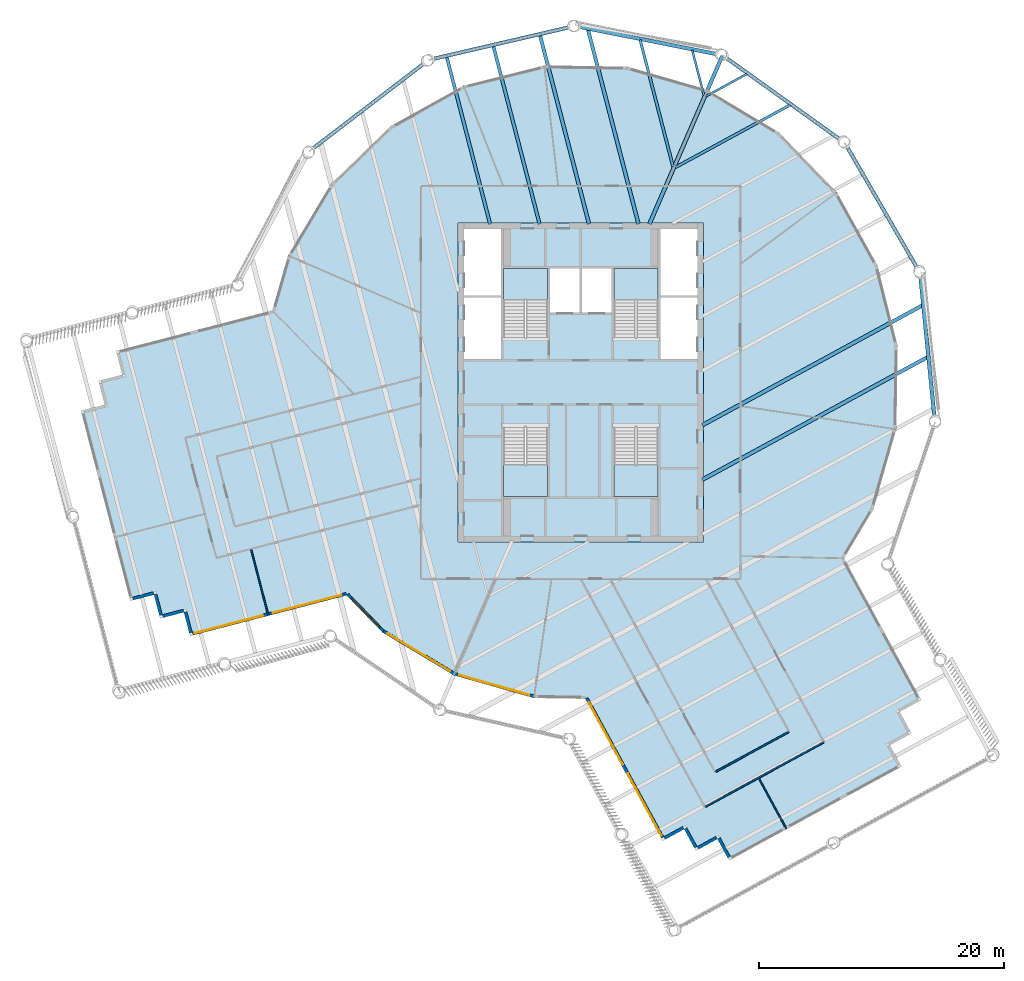
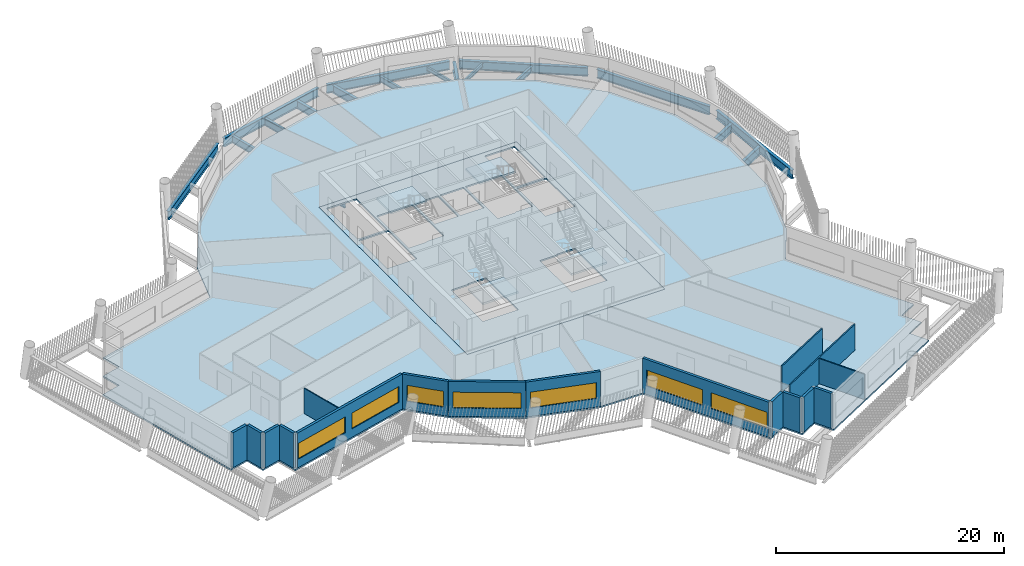
# One storey, part 2 of 14: 17 beams, 17 walls, 7 windows, 6 slabs, 7 openings, 4 elements without a shape of their own.
"""IFC4 building model written with IfcOpenShell, lengths in metres."""

from ifc_helpers import new_model, si_unit, direction, frame, frame_2d, origin, origin_2d, place, context, subcontext, project, spatial, polyline, rectangle, i_section, outline, extrude, material, layer, layer_set, material_profile, profile_set, type_object, element, fill, aggregate, save


model = new_model("IFC4")

# Units and contexts
model_context = context("Model", 3, precision=1e-05, world=origin(), true_north=direction((0.0, 1.0)))
body_context = subcontext(model_context, "Body", "Model", "MODEL_VIEW")
ifc_project = project(units=[si_unit("LENGTHUNIT", "METRE"), si_unit("AREAUNIT", "SQUARE_METRE"), si_unit("VOLUMEUNIT", "CUBIC_METRE"), si_unit("PLANEANGLEUNIT", "RADIAN"), si_unit("MASSUNIT", "GRAM", prefix="KILO")], contexts=[model_context])

# Site, building, storey
site_placement = place(None, origin())
site = spatial("IfcSite", under=ifc_project, at=site_placement, CompositionType="ELEMENT")
building_placement = place(site_placement, origin())
building = spatial("IfcBuilding", under=site, at=building_placement, Name="Tarsis Ring Headquarters", CompositionType="ELEMENT")
storey_placement = place(building_placement, frame((0.0, 0.0, 343.10009765625)))
storey = spatial("IfcBuildingStorey", under=building, at=storey_placement, Name="L81", CompositionType="ELEMENT", Elevation=343.10009765625)

# Beams
ifc_material_1 = material(Name="Structural steel S355", Category="steel")
ifc_material_profile_1 = material_profile(ifc_material_1, i_section(OverallWidth=0.177734375, OverallDepth=0.406494140625, WebThickness=0.0078125, FlangeThickness=0.0126953125, at=origin_2d()), Name="W16x40")
ifc_profile_set_1 = profile_set([ifc_material_profile_1], Name="Structural steel S355")
beam_type_1 = type_object("IfcBeamType", Name="FB Floor beam W16x40", PredefinedType="JOIST", material=ifc_profile_set_1)
for number, where, z_axis, x_axis, name in (
    (1, (10.212646484375, 23.320068359375, -0.36328125), (0.878292493566, 0.478123724308, 0.0), (-0.478123724308, 0.878292493566, 0.0), "Floor beam FB1"),
    (2, (9.084716796875, 27.077392578125, -0.36328125), (0.251371825169, -0.967890595838, 0.0), (0.967890595838, 0.251371825169, 0.0), "Floor beam FB1"),
):
    element("IfcBeam", number, at=place(storey_placement, frame(where, z_axis=z_axis, x_axis=x_axis)), inside=storey, type_object=beam_type_1, Name=name, PredefinedType="JOIST", context=body_context, shape_type="SweptSolid", body=[
        extrude(i_section(OverallWidth=0.177734375, OverallDepth=0.406494140625, WebThickness=0.0078125, FlangeThickness=0.0126953125, at=origin_2d()), origin(), (0.0, 0.0, 1.0), 3.80517578125),
    ])
ifc_material_profile_2 = material_profile(ifc_material_1, i_section(OverallWidth=0.228271484375, OverallDepth=0.607177734375, WebThickness=0.01123046875, FlangeThickness=0.017333984375, at=origin_2d()), Name="W24x76")
ifc_profile_set_2 = profile_set([ifc_material_profile_2], Name="Structural steel S355")
beam_type_2 = type_object("IfcBeamType", Name="FB Floor beam W24x76", PredefinedType="JOIST", material=ifc_profile_set_2)
for number, where, z_axis, x_axis, name in (
    (3, (7.69287109375, 17.50830078125, -0.463623046875), (0.878315260077, 0.478081900845, 0.0), (-0.478081900845, 0.878315260077, 0.0), "Floor beam FB4"),
    (4, (4.83544921875, 27.924072265625, -0.463623046875), (0.251391136568, -0.967885580249, 0.0), (0.967885580249, 0.251391136568, 0.0), "Floor beam FB4"),
):
    element("IfcBeam", number, at=place(storey_placement, frame(where, z_axis=z_axis, x_axis=x_axis)), inside=storey, type_object=beam_type_2, Name=name, PredefinedType="JOIST", context=body_context, shape_type="SweptSolid", body=[
        extrude(i_section(OverallWidth=0.228271484375, OverallDepth=0.607177734375, WebThickness=0.01123046875, FlangeThickness=0.017333984375, at=origin_2d()), origin(), (0.0, 0.0, 1.0), 10.6845703125),
    ])
ifc_material_profile_3 = material_profile(ifc_material_1, i_section(OverallWidth=0.2666015625, OverallDepth=0.7568359375, WebThickness=0.013916015625, FlangeThickness=0.019287109375, at=origin_2d()), Name="W30x108")
ifc_profile_set_3 = profile_set([ifc_material_profile_3], Name="Structural steel S355")
beam_type_3 = type_object("IfcBeamType", Name="FB Floor beam W30x108", PredefinedType="JOIST", material=ifc_profile_set_3)
beam_1_placement = place(storey_placement, frame((-7.126953125, 27.439697265625, -0.53857421875), z_axis=(0.251395397826, -0.967884473453, 0.0), x_axis=(0.967884473453, 0.251395397826, 0.0)))
element("IfcBeam", 5, at=beam_1_placement, inside=storey, type_object=beam_type_3, Name="Floor beam FB6", PredefinedType="JOIST", context=body_context, shape_type="SweptSolid", body=[
    extrude(i_section(OverallWidth=0.2666015625, OverallDepth=0.7568359375, WebThickness=0.013916015625, FlangeThickness=0.019287109375, at=origin_2d()), origin(), (0.0, 0.0, 1.0), 15.018798828125),
])
beam_2_placement = place(storey_placement, frame((-10.92724609375, 26.55712890625, -0.53857421875), z_axis=(0.251394574404, -0.967884687326, 0.0), x_axis=(0.967884687326, 0.251394574404, 0.0)))
element("IfcBeam", 6, at=beam_2_placement, inside=storey, type_object=beam_type_3, Name="Floor beam FB6", PredefinedType="JOIST", context=body_context, shape_type="SweptSolid", body=[
    extrude(i_section(OverallWidth=0.2666015625, OverallDepth=0.7568359375, WebThickness=0.013916015625, FlangeThickness=0.019287109375, at=origin_2d()), origin(), (0.0, 0.0, 1.0), 14.10693359375),
])
ifc_material_profile_4 = material_profile(ifc_material_1, i_section(OverallWidth=0.2919921875, OverallDepth=0.835693359375, WebThickness=0.013916015625, FlangeThickness=0.018798828125, at=origin_2d()), Name="W33x118")
ifc_profile_set_4 = profile_set([ifc_material_profile_4], Name="Structural steel S355")
beam_type_4 = type_object("IfcBeamType", Name="FB Floor beam W33x118", PredefinedType="JOIST", material=ifc_profile_set_4)
beam_3_placement = place(storey_placement, frame((0.5859375, 28.770751953125, -0.577880859375), z_axis=(0.251394197229, -0.967884785292, 0.0), x_axis=(0.967884785292, 0.251394197229, 0.0)))
element("IfcBeam", 7, at=beam_3_placement, inside=storey, type_object=beam_type_4, Name="Floor beam FB7", PredefinedType="JOIST", context=body_context, shape_type="SweptSolid", body=[
    extrude(i_section(OverallWidth=0.2919921875, OverallDepth=0.835693359375, WebThickness=0.013916015625, FlangeThickness=0.018798828125, at=origin_2d()), origin(), (0.0, 0.0, 1.0), 16.39404296875),
])
beam_4_placement = place(storey_placement, frame((-3.326904296875, 28.322021484375, -0.577880859375), z_axis=(0.251399856024, -0.967883315483, 0.0), x_axis=(0.967883315483, 0.251399856024, 0.0)))
element("IfcBeam", 8, at=beam_4_placement, inside=storey, type_object=beam_type_4, Name="Floor beam FB7", PredefinedType="JOIST", context=body_context, shape_type="SweptSolid", body=[
    extrude(i_section(OverallWidth=0.2919921875, OverallDepth=0.835693359375, WebThickness=0.013916015625, FlangeThickness=0.018798828125, at=origin_2d()), origin(), (0.0, 0.0, 1.0), 15.930419921875),
])
ifc_material_profile_5 = material_profile(ifc_material_1, i_section(OverallWidth=0.3046875, OverallDepth=0.904296875, WebThickness=0.01513671875, FlangeThickness=0.02001953125, at=origin_2d()), Name="W36x135")
ifc_profile_set_5 = profile_set([ifc_material_profile_5], Name="Structural steel S355")
beam_type_5 = type_object("IfcBeamType", Name="FB Floor beam W36x135", PredefinedType="JOIST", material=ifc_profile_set_5)
beam_5_placement = place(storey_placement, frame((9.912109375, -3.4853515625, -0.6123046875), z_axis=(0.878315606061, 0.478081265215, 0.0), x_axis=(-0.478081265215, 0.878315606061, 0.0)))
element("IfcBeam", 9, at=beam_5_placement, inside=storey, type_object=beam_type_5, Name="Floor beam FB8", PredefinedType="JOIST", context=body_context, shape_type="SweptSolid", body=[
    extrude(i_section(OverallWidth=0.3046875, OverallDepth=0.904296875, WebThickness=0.01513671875, FlangeThickness=0.02001953125, at=origin_2d()), origin(), (0.0, 0.0, 1.0), 20.419677734375),
])
beam_6_placement = place(storey_placement, frame((9.912109375, -7.925537109375, -0.6123046875), z_axis=(0.878317137588, 0.478078451532, 0.0), x_axis=(-0.478078451532, 0.878317137588, 0.0)))
element("IfcBeam", 10, at=beam_6_placement, inside=storey, type_object=beam_type_5, Name="Floor beam FB8", PredefinedType="JOIST", context=body_context, shape_type="SweptSolid", body=[
    extrude(i_section(OverallWidth=0.3046875, OverallDepth=0.904296875, WebThickness=0.01513671875, FlangeThickness=0.02001953125, at=origin_2d()), origin(), (0.0, 0.0, 1.0), 20.898193359375),
])
ifc_material_profile_6 = material_profile(ifc_material_1, i_section(OverallWidth=0.309814453125, OverallDepth=0.949951171875, WebThickness=0.0244140625, FlangeThickness=0.0439453125, at=origin_2d()), Name="W36x256")
ifc_profile_set_6 = profile_set([ifc_material_profile_6], Name="Structural steel S355")
beam_type_6 = type_object("IfcBeamType", Name="FB Floor beam W36x256 spine", PredefinedType="BEAM", material=ifc_profile_set_6)
beam_7_placement = place(storey_placement, frame((11.531982421875, 26.59765625, -0.635009765625), z_axis=(-0.397788350917, -0.917477208368, 0.0), x_axis=(0.917477208368, -0.397788350917, 0.0)))
element("IfcBeam", 11, at=beam_7_placement, inside=storey, type_object=beam_type_6, Name="Floor beam SB11", PredefinedType="BEAM", context=body_context, shape_type="SweptSolid", body=[
    extrude(i_section(OverallWidth=0.309814453125, OverallDepth=0.949951171875, WebThickness=0.0244140625, FlangeThickness=0.0439453125, at=origin_2d()), origin(), (0.0, 0.0, 1.0), 14.920654296875),
])
ifc_material_profile_7 = material_profile(ifc_material_1, i_section(OverallWidth=0.309814453125, OverallDepth=0.93212890625, WebThickness=0.02099609375, FlangeThickness=0.034423828125, at=origin_2d()), Name="W36x210")
ifc_profile_set_7 = profile_set([ifc_material_profile_7], Name="Structural steel S355")
beam_type_7 = type_object("IfcBeamType", Name="XG Ring girder W36x210", PredefinedType="BEAM", material=ifc_profile_set_7)
for number, where, z_axis, x_axis, name in (
    (12, (28.820556640625, -2.83984375, -0.46630859375), (-0.099393265633, 0.995048229357, 0.0), (-0.995048229357, -0.099393265633, 0.0), "Ring girder XG3"),
    (13, (27.4287109375, 9.292236328125, -0.46630859375), (-0.500699655457, 0.865621080511, 0.0), (-0.865621080511, -0.500699655457, 0.0), "Ring girder XG3"),
    (14, (21.16015625, 19.77197265625, -0.46630859375), (-0.812987741326, 0.582280802065, 0.0), (-0.582280802065, -0.812987741326, 0.0), "Ring girder XG3"),
    (15, (11.129150390625, 26.736328125, -0.46630859375), (-0.980723986153, 0.19539821643, 0.0), (-0.19539821643, -0.980723986153, 0.0), "Ring girder XG3"),
    (16, (-0.880615234375, 28.94677734375, -0.46630859375), (-0.974075677874, -0.226222398925, 0.0), (0.226222398925, -0.974075677874, 0.0), "Ring girder XG3"),
    (17, (-12.73388671875, 26.01025390625, -0.46630859375), (-0.794243338921, -0.607599801332, 0.0), (0.607599801332, -0.794243338921, 0.0), "Ring girder XG3"),
):
    element("IfcBeam", number, at=place(storey_placement, frame(where, z_axis=z_axis, x_axis=x_axis)), inside=storey, type_object=beam_type_7, Name=name, PredefinedType="BEAM", context=body_context, shape_type="SweptSolid", body=[
        extrude(i_section(OverallWidth=0.309814453125, OverallDepth=0.93212890625, WebThickness=0.02099609375, FlangeThickness=0.034423828125, at=origin_2d()), origin(), (0.0, 0.0, 1.0), 11.380126953125),
    ])

# Slab
ifc_material_2 = material(Name="Concrete C40/50", Category="concrete")
ifc_layer_1 = layer(ifc_material_2, 0.159912109375)
ifc_layer_set_1 = layer_set([ifc_layer_1], Name="Core floor slab 160 C40/50")
slab_type_1 = type_object("IfcSlabType", Name="Core floor slab 160 C40/50", PredefinedType="FLOOR", material=ifc_layer_set_1)
slab_1_placement = place(storey_placement, frame((0.0, 0.0, -0.16015625)))
element("IfcSlab", 18, at=slab_1_placement, inside=storey, type_object=slab_type_1, Name="L81 core floor slab", PredefinedType="FLOOR", context=body_context, shape_type="SweptSolid", body=[
    extrude(outline(polyline([(-10.0, -13.0), (10.0, -13.0), (10.0, 13.0), (-10.0, 13.0), (-10.0, -13.0)]), holes=[polyline([(-2.5, 5.699951171875), (-0.10009765625, 5.699951171875), (-0.10009765625, 9.300048828125), (-2.5, 9.300048828125), (-2.5, 5.699951171875)]), polyline([(0.10009765625, 5.699951171875), (2.5, 5.699951171875), (2.5, 9.300048828125), (0.10009765625, 9.300048828125), (0.10009765625, 5.699951171875)]), polyline([(-9.5, 1.89990234375), (-6.5, 1.89990234375), (-6.5, 6.89990234375), (-9.5, 6.89990234375), (-9.5, 1.89990234375)]), polyline([(-9.5, 7.10009765625), (-6.5, 7.10009765625), (-6.5, 12.5), (-9.5, 12.5), (-9.5, 7.10009765625)]), polyline([(6.5, 1.89990234375), (9.5, 1.89990234375), (9.5, 6.89990234375), (6.5, 6.89990234375), (6.5, 1.89990234375)]), polyline([(6.5, 7.10009765625), (9.5, 7.10009765625), (9.5, 12.5), (6.5, 12.5), (6.5, 7.10009765625)]), polyline([(-2.699951171875, 3.760009765625), (-2.699951171875, 9.300048828125), (-6.300048828125, 9.300048828125), (-6.300048828125, 3.659912109375), (-4.4599609375, 3.659912109375), (-4.4599609375, 3.760009765625), (-2.699951171875, 3.760009765625)]), polyline([(6.300048828125, 3.760009765625), (6.300048828125, 9.300048828125), (2.699951171875, 9.300048828125), (2.699951171875, 3.659912109375), (4.5400390625, 3.659912109375), (4.5400390625, 3.760009765625), (6.300048828125, 3.760009765625)]), polyline([(-6.300048828125, -3.760009765625), (-6.300048828125, -9.300048828125), (-2.699951171875, -9.300048828125), (-2.699951171875, -3.659912109375), (-4.5400390625, -3.659912109375), (-4.5400390625, -3.760009765625), (-6.300048828125, -3.760009765625)]), polyline([(2.699951171875, -3.760009765625), (2.699951171875, -9.300048828125), (6.300048828125, -9.300048828125), (6.300048828125, -3.659912109375), (4.4599609375, -3.659912109375), (4.4599609375, -3.760009765625), (2.699951171875, -3.760009765625)])]), origin(), (0.0, 0.0, 1.0), 0.16015625),
])

# Stair, slab
ifc_material_3 = material(Name="Core stair 1760")
stair_type = type_object("IfcStairType", Name="Core stair 1760", PredefinedType="HALF_TURN_STAIR", material=ifc_material_3)
stair_1_placement = place(storey_placement, origin())
stair_1 = element("IfcStair", 19, at=stair_1_placement, inside=storey, type_object=stair_type, Name="L81 Firefighting stair", PredefinedType="HALF_TURN_STAIR")
ifc_layer_2 = layer(ifc_material_2, 0.199951171875)
ifc_layer_set_2 = layer_set([ifc_layer_2], Name="Core stair landing 200")
slab_type_2 = type_object("IfcSlabType", Name="Core stair landing 200", PredefinedType="LANDING", material=ifc_layer_set_2)
slab_2_placement = place(storey_placement, frame((0.0, 0.0, 1.75)))
slab_2 = element("IfcSlab", 20, at=slab_2_placement, type_object=slab_type_2, Name="Stair ST1 landing 1", PredefinedType="LANDING", context=body_context, shape_type="SweptSolid", body=[
    extrude(outline(polyline([(-2.699951171875, 6.739990234375), (-2.699951171875, 9.300048828125), (-6.300048828125, 9.300048828125), (-6.300048828125, 6.739990234375), (-2.699951171875, 6.739990234375)])), origin(), (0.0, 0.0, 1.0), 0.199951171875),
])
aggregate(stair_1, [slab_2])

stair_2_placement = place(storey_placement, origin())
stair_2 = element("IfcStair", 21, at=stair_2_placement, inside=storey, type_object=stair_type, Name="L81 Exit stair B", PredefinedType="HALF_TURN_STAIR")
slab_3_placement = place(storey_placement, frame((0.0, 0.0, 1.75)))
slab_3 = element("IfcSlab", 22, at=slab_3_placement, type_object=slab_type_2, Name="Stair ST2 landing 1", PredefinedType="LANDING", context=body_context, shape_type="SweptSolid", body=[
    extrude(outline(polyline([(6.300048828125, 6.739990234375), (6.300048828125, 9.300048828125), (2.699951171875, 9.300048828125), (2.699951171875, 6.739990234375), (6.300048828125, 6.739990234375)])), origin(), (0.0, 0.0, 1.0), 0.199951171875),
])
aggregate(stair_2, [slab_3])

stair_3_placement = place(storey_placement, origin())
stair_3 = element("IfcStair", 23, at=stair_3_placement, inside=storey, type_object=stair_type, Name="L81 Exit stair C", PredefinedType="HALF_TURN_STAIR")
slab_4_placement = place(storey_placement, frame((0.0, 0.0, 1.75)))
slab_4 = element("IfcSlab", 24, at=slab_4_placement, type_object=slab_type_2, Name="Stair ST3 landing 1", PredefinedType="LANDING", context=body_context, shape_type="SweptSolid", body=[
    extrude(outline(polyline([(-6.300048828125, -6.739990234375), (-6.300048828125, -9.300048828125), (-2.699951171875, -9.300048828125), (-2.699951171875, -6.739990234375), (-6.300048828125, -6.739990234375)])), origin(), (0.0, 0.0, 1.0), 0.199951171875),
])
aggregate(stair_3, [slab_4])

stair_4_placement = place(storey_placement, origin())
stair_4 = element("IfcStair", 25, at=stair_4_placement, inside=storey, type_object=stair_type, Name="L81 Exit stair D", PredefinedType="HALF_TURN_STAIR")
slab_5_placement = place(storey_placement, frame((0.0, 0.0, 1.75)))
slab_5 = element("IfcSlab", 26, at=slab_5_placement, type_object=slab_type_2, Name="Stair ST4 landing 1", PredefinedType="LANDING", context=body_context, shape_type="SweptSolid", body=[
    extrude(outline(polyline([(2.699951171875, -6.739990234375), (2.699951171875, -9.300048828125), (6.300048828125, -9.300048828125), (6.300048828125, -6.739990234375), (2.699951171875, -6.739990234375)])), origin(), (0.0, 0.0, 1.0), 0.199951171875),
])
aggregate(stair_4, [slab_5])

# Slab
ifc_material_4 = material(Name="Concrete C35/45", Category="concrete")
ifc_layer_3 = layer(ifc_material_4, 0.159912109375)
ifc_layer_set_3 = layer_set([ifc_layer_3], Name="FS Composite floor slab 160")
slab_type_3 = type_object("IfcSlabType", Name="FS Composite floor slab 160", PredefinedType="FLOOR", material=ifc_layer_set_3)
slab_6_placement = place(storey_placement, frame((0.0, 0.0, -0.16015625)))
element("IfcSlab", 27, at=slab_6_placement, inside=storey, type_object=slab_type_3, Name="Floor slab L81", PredefinedType="FLOOR", context=body_context, shape_type="SweptSolid", body=[
    extrude(outline(polyline([(-19.078125, -17.353515625), (-16.1640625, -20.36474609375), (-10.342529296875, -23.8544921875), (-3.816162109375, -25.718505859375), (0.373779296875, -25.787109375), (6.671142578125, -37.3564453125), (8.427734375, -36.400146484375), (9.3837890625, -38.15673828125), (11.140380859375, -37.20068359375), (12.0966796875, -38.957275390625), (26.149658203125, -31.30810546875), (25.193603515625, -29.551513671875), (26.9501953125, -28.59521484375), (25.993896484375, -26.838623046875), (27.750732421875, -25.882568359375), (21.46337890625, -14.33154296875), (23.8544921875, -10.342529296875), (25.718505859375, -3.816162109375), (25.829833984375, 2.97021484375), (24.180908203125, 9.554443359375), (20.884033203125, 15.4873046875), (16.1640625, 20.36474609375), (10.342529296875, 23.8544921875), (3.816162109375, 25.718505859375), (-2.97021484375, 25.829833984375), (-9.554443359375, 24.180908203125), (-15.4873046875, 20.884033203125), (-20.36474609375, 16.1640625), (-23.8544921875, 10.342529296875), (-25.131591796875, 5.87060546875), (-37.860595703125, 2.564453125), (-37.35791015625, 0.628662109375), (-39.29345703125, 0.1259765625), (-38.790771484375, -1.809814453125), (-40.7265625, -2.312744140625), (-36.704345703125, -17.798828125), (-34.7685546875, -17.296142578125), (-34.265625, -19.231689453125), (-32.329833984375, -18.72900390625), (-31.8271484375, -20.664794921875), (-19.078125, -17.353515625)]), holes=[polyline([(-10.0, -13.0), (-10.0, 13.0), (10.0, 13.0), (10.0, -13.0), (-10.0, -13.0)])]), origin(), (0.0, 0.0, 1.0), 0.16015625),
])

# Walls
ifc_material_5 = material(Name="Gypsum board on steel studs", Category="steel")
ifc_layer_4 = layer(ifc_material_5, 0.10009765625)
ifc_layer_set_4 = layer_set([ifc_layer_4], Name="FL partition 100 unrated")
wall_type_1 = type_object("IfcWallType", Name="FL partition 100 unrated", PredefinedType="PARTITIONING", material=ifc_layer_set_4)
wall_1_placement = place(storey_placement, frame((-26.843994140625, -13.63623046875, 0.0), z_axis=(0.0, 0.0, 1.0), x_axis=(0.251413485311, -0.967879775284, 0.0)))
element("IfcWall", 28, at=wall_1_placement, inside=storey, type_object=wall_type_1, Name="Partition PW3", PredefinedType="PARTITIONING", context=body_context, shape_type="SweptSolid", body=[
    extrude(rectangle(XDim=5.500244140625, YDim=0.10009765625, at=frame_2d((2.75, 0.0))), origin(), (0.0, 0.0, 1.0), 2.699951171875),
])
wall_2_placement = place(storey_placement, frame((14.5263671875, -32.272216796875, 0.0), z_axis=(0.0, 0.0, 1.0), x_axis=(0.478062743658, -0.878325687389, 0.0)))
element("IfcWall", 29, at=wall_2_placement, inside=storey, type_object=wall_type_1, Name="Partition PW3", PredefinedType="PARTITIONING", context=body_context, shape_type="SweptSolid", body=[
    extrude(rectangle(XDim=4.659912109375, YDim=0.10009765625, at=frame_2d((2.330078125, 0.0))), origin(), (0.0, 0.0, 1.0), 2.699951171875),
])
ifc_layer_5 = layer(ifc_material_5, 0.125)
ifc_layer_set_5 = layer_set([ifc_layer_5], Name="FL partition 125 EI 60 H2770")
wall_type_2 = type_object("IfcWallType", Name="FL partition 125 EI 60 H2770", PredefinedType="PARTITIONING", material=ifc_layer_set_5)
wall_3_placement = place(storey_placement, frame((10.16259765625, -34.567626953125, 0.0), z_axis=(0.0, 0.0, 1.0), x_axis=(0.878317389979, 0.478077987843, 0.0)))
element("IfcWall", 30, at=wall_3_placement, inside=storey, type_object=wall_type_2, Name="Partition PW1", PredefinedType="PARTITIONING", context=body_context, shape_type="SweptSolid", body=[
    extrude(rectangle(XDim=10.940185546875, YDim=0.125, at=frame_2d((5.47021484375, 0.0))), origin(), (0.0, 0.0, 1.0), 2.77001953125),
])
wall_4_placement = place(storey_placement, frame((11.003173828125, -31.71923828125, 0.0), z_axis=(0.0, 0.0, 1.0), x_axis=(0.878324353762, 0.478065193869, 0.0)))
element("IfcWall", 31, at=wall_4_placement, inside=storey, type_object=wall_type_2, Name="Partition PW1", PredefinedType="PARTITIONING", context=body_context, shape_type="SweptSolid", body=[
    extrude(rectangle(XDim=6.739990234375, YDim=0.125, at=frame_2d((3.3701171875, 0.0))), origin(), (0.0, 0.0, 1.0), 2.77001953125),
])

# Wall, openings, windows
ifc_material_6 = material(Name="Terracotta clad insulated panel wall", Category="masonry")
ifc_layer_6 = layer(ifc_material_6, 0.25)
ifc_layer_set_6 = layer_set([ifc_layer_6], Name="Facade wall terracotta panel 250")
wall_type_3 = type_object("IfcWallType", Name="Facade wall terracotta panel 250", PredefinedType="STANDARD", material=ifc_layer_set_6)
wall_5_placement = place(storey_placement, frame((-31.61669921875, -20.48095703125, 0.0), z_axis=(0.0, 0.0, 1.0), x_axis=(0.967884777582, 0.251394226913, 0.0)))
wall_5 = element("IfcWall", 32, at=wall_5_placement, inside=storey, type_object=wall_type_3, Name="External wall L81-01", PredefinedType="STANDARD", context=body_context, shape_type="SweptSolid", body=[
    extrude(rectangle(XDim=12.922119140625, YDim=0.25, at=frame_2d((6.4609375, 0.0))), origin(), (0.0, 0.0, 1.0), 3.739990234375),
])
opening_1_placement = place(wall_5_placement, frame((0.16796875, 0.0, 0.89990234375)))
opening_1 = element("IfcOpeningElement", 33, at=opening_1_placement, cuts=wall_5, Name="Opening WN06", PredefinedType="OPENING", context=body_context, shape_type="SweptSolid", body=[
    extrude(rectangle(XDim=5.75, YDim=1.699951171875, at=frame_2d((2.875, 0.85009765625))), frame((0.0, 0.135009765625, 0.0), z_axis=(0.0, -1.0, 0.0), x_axis=(1.0, 0.0, 0.0)), (0.0, 0.0, 1.0), 0.27001953125),
])
opening_2_placement = place(wall_5_placement, frame((6.75390625, 0.0, 0.89990234375)))
opening_2 = element("IfcOpeningElement", 34, at=opening_2_placement, cuts=wall_5, Name="Opening WN06", PredefinedType="OPENING", context=body_context, shape_type="SweptSolid", body=[
    extrude(rectangle(XDim=5.75, YDim=1.699951171875, at=frame_2d((2.875, 0.85009765625))), frame((0.0, 0.135009765625, 0.0), z_axis=(0.0, -1.0, 0.0), x_axis=(1.0, 0.0, 0.0)), (0.0, 0.0, 1.0), 0.27001953125),
])
ifc_material_7 = material(Name="Aluminium framed double glazing", Category="aluminium")
window_type_1 = type_object("IfcWindowType", Name="Facade window 5750 x 1700", PartitioningType="SINGLE_PANEL", PredefinedType="WINDOW", material=ifc_material_7)
window_1_placement = place(opening_1_placement, origin())
window_1 = element("IfcWindow", 35, at=window_1_placement, inside=storey, type_object=window_type_1, Name="Window L81-01.1", OverallHeight=1.699951171875, OverallWidth=5.75, PartitioningType="SINGLE_PANEL", PredefinedType="WINDOW", context=body_context, shape_type="SweptSolid", body=[
    extrude(rectangle(XDim=5.75, YDim=1.699951171875, at=frame_2d((2.875, 0.85009765625))), frame((0.0, 0.030029296875, 0.0), z_axis=(0.0, -1.0, 0.0), x_axis=(1.0, 0.0, 0.0)), (0.0, 0.0, 1.0), 0.06005859375),
])
fill(opening_1, window_1)
window_2_placement = place(opening_2_placement, origin())
window_2 = element("IfcWindow", 36, at=window_2_placement, inside=storey, type_object=window_type_1, Name="Window L81-01.2", OverallHeight=1.699951171875, OverallWidth=5.75, PartitioningType="SINGLE_PANEL", PredefinedType="WINDOW", context=body_context, shape_type="SweptSolid", body=[
    extrude(rectangle(XDim=5.75, YDim=1.699951171875, at=frame_2d((2.875, 0.85009765625))), frame((0.0, 0.030029296875, 0.0), z_axis=(0.0, -1.0, 0.0), x_axis=(1.0, 0.0, 0.0)), (0.0, 0.0, 1.0), 0.06005859375),
])
fill(opening_2, window_2)

# Wall, opening, window
wall_6_placement = place(storey_placement, frame((-18.98828125, -17.2666015625, 0.0), z_axis=(0.0, 0.0, 1.0), x_axis=(0.695413601771, -0.718609714986, 0.0)))
wall_6 = element("IfcWall", 37, at=wall_6_placement, inside=storey, type_object=wall_type_3, Name="External wall L81-02", PredefinedType="STANDARD", context=body_context, shape_type="SweptSolid", body=[
    extrude(rectangle(XDim=4.157470703125, YDim=0.25, at=frame_2d((2.07861328125, 0.0))), origin(), (0.0, 0.0, 1.0), 3.739990234375),
])
opening_3_placement = place(wall_6_placement, frame((0.420166015625, 0.0, 0.89990234375)))
opening_3 = element("IfcOpeningElement", 38, at=opening_3_placement, cuts=wall_6, Name="Opening WN01", PredefinedType="OPENING", context=body_context, shape_type="SweptSolid", body=[
    extrude(rectangle(XDim=3.35009765625, YDim=1.699951171875, at=frame_2d((1.675048828125, 0.85009765625))), frame((0.0, 0.135009765625, 0.0), z_axis=(0.0, -1.0, 0.0), x_axis=(1.0, 0.0, 0.0)), (0.0, 0.0, 1.0), 0.27001953125),
])
window_type_2 = type_object("IfcWindowType", Name="Facade window 3350 x 1700", PartitioningType="SINGLE_PANEL", PredefinedType="WINDOW", material=ifc_material_7)
window_3_placement = place(opening_3_placement, origin())
window_3 = element("IfcWindow", 39, at=window_3_placement, inside=storey, type_object=window_type_2, Name="Window L81-02.1", OverallHeight=1.699951171875, OverallWidth=3.35009765625, PartitioningType="SINGLE_PANEL", PredefinedType="WINDOW", context=body_context, shape_type="SweptSolid", body=[
    extrude(rectangle(XDim=3.35009765625, YDim=1.699951171875, at=frame_2d((1.675048828125, 0.85009765625))), frame((0.0, 0.030029296875, 0.0), z_axis=(0.0, -1.0, 0.0), x_axis=(1.0, 0.0, 0.0)), (0.0, 0.0, 1.0), 0.06005859375),
])
fill(opening_3, window_3)

wall_7_placement = place(storey_placement, frame((-16.071533203125, -20.2744140625, 0.0), z_axis=(0.0, 0.0, 1.0), x_axis=(0.857707578117, -0.514137832144, 0.0)))
wall_7 = element("IfcWall", 40, at=wall_7_placement, inside=storey, type_object=wall_type_3, Name="External wall L81-03", PredefinedType="STANDARD", context=body_context, shape_type="SweptSolid", body=[
    extrude(rectangle(XDim=6.7216796875, YDim=0.25, at=frame_2d((3.36083984375, 0.0))), origin(), (0.0, 0.0, 1.0), 3.739990234375),
])
opening_4_placement = place(wall_7_placement, frame((0.3857421875, 0.0, 0.89990234375)))
opening_4 = element("IfcOpeningElement", 41, at=opening_4_placement, cuts=wall_7, Name="Opening WN07", PredefinedType="OPENING", context=body_context, shape_type="SweptSolid", body=[
    extrude(rectangle(XDim=5.949951171875, YDim=1.699951171875, at=frame_2d((2.97509765625, 0.85009765625))), frame((0.0, 0.135009765625, 0.0), z_axis=(0.0, -1.0, 0.0), x_axis=(1.0, 0.0, 0.0)), (0.0, 0.0, 1.0), 0.27001953125),
])
window_type_3 = type_object("IfcWindowType", Name="Facade window 5950 x 1700", PartitioningType="SINGLE_PANEL", PredefinedType="WINDOW", material=ifc_material_7)
window_4_placement = place(opening_4_placement, origin())
window_4 = element("IfcWindow", 42, at=window_4_placement, inside=storey, type_object=window_type_3, Name="Window L81-03.1", OverallHeight=1.699951171875, OverallWidth=5.949951171875, PartitioningType="SINGLE_PANEL", PredefinedType="WINDOW", context=body_context, shape_type="SweptSolid", body=[
    extrude(rectangle(XDim=5.949951171875, YDim=1.699951171875, at=frame_2d((2.97509765625, 0.85009765625))), frame((0.0, 0.030029296875, 0.0), z_axis=(0.0, -1.0, 0.0), x_axis=(1.0, 0.0, 0.0)), (0.0, 0.0, 1.0), 0.06005859375),
])
fill(opening_4, window_4)

wall_8_placement = place(storey_placement, frame((-10.276611328125, -23.7431640625, 0.0), z_axis=(0.0, 0.0, 1.0), x_axis=(0.961549985447, -0.274629979223, 0.0)))
wall_8 = element("IfcWall", 43, at=wall_8_placement, inside=storey, type_object=wall_type_3, Name="External wall L81-04", PredefinedType="STANDARD", context=body_context, shape_type="SweptSolid", body=[
    extrude(rectangle(XDim=6.7216796875, YDim=0.25, at=frame_2d((3.36083984375, 0.0))), origin(), (0.0, 0.0, 1.0), 3.739990234375),
])
opening_5_placement = place(wall_8_placement, frame((0.3857421875, 0.0, 0.89990234375)))
opening_5 = element("IfcOpeningElement", 44, at=opening_5_placement, cuts=wall_8, Name="Opening WN07", PredefinedType="OPENING", context=body_context, shape_type="SweptSolid", body=[
    extrude(rectangle(XDim=5.949951171875, YDim=1.699951171875, at=frame_2d((2.97509765625, 0.85009765625))), frame((0.0, 0.135009765625, 0.0), z_axis=(0.0, -1.0, 0.0), x_axis=(1.0, 0.0, 0.0)), (0.0, 0.0, 1.0), 0.27001953125),
])
window_5_placement = place(opening_5_placement, origin())
window_5 = element("IfcWindow", 45, at=window_5_placement, inside=storey, type_object=window_type_3, Name="Window L81-04.1", OverallHeight=1.699951171875, OverallWidth=5.949951171875, PartitioningType="SINGLE_PANEL", PredefinedType="WINDOW", context=body_context, shape_type="SweptSolid", body=[
    extrude(rectangle(XDim=5.949951171875, YDim=1.699951171875, at=frame_2d((2.97509765625, 0.85009765625))), frame((0.0, 0.030029296875, 0.0), z_axis=(0.0, -1.0, 0.0), x_axis=(1.0, 0.0, 0.0)), (0.0, 0.0, 1.0), 0.06005859375),
])
fill(opening_5, window_5)

# Wall, openings, windows
wall_9_placement = place(storey_placement, frame((0.483642578125, -25.727294921875, 0.0), z_axis=(0.0, 0.0, 1.0), x_axis=(0.47807887958, -0.878316904596, 0.0)))
wall_9 = element("IfcWall", 46, at=wall_9_placement, inside=storey, type_object=wall_type_3, Name="External wall L81-06", PredefinedType="STANDARD", context=body_context, shape_type="SweptSolid", body=[
    extrude(rectangle(XDim=12.922119140625, YDim=0.25, at=frame_2d((6.4609375, 0.0))), origin(), (0.0, 0.0, 1.0), 3.739990234375),
])
opening_6_placement = place(wall_9_placement, frame((0.41796875, 0.0, 0.89990234375)))
opening_6 = element("IfcOpeningElement", 47, at=opening_6_placement, cuts=wall_9, Name="Opening WN06", PredefinedType="OPENING", context=body_context, shape_type="SweptSolid", body=[
    extrude(rectangle(XDim=5.75, YDim=1.699951171875, at=frame_2d((2.875, 0.85009765625))), frame((0.0, 0.135009765625, 0.0), z_axis=(0.0, -1.0, 0.0), x_axis=(1.0, 0.0, 0.0)), (0.0, 0.0, 1.0), 0.27001953125),
])
opening_7_placement = place(wall_9_placement, frame((7.00390625, 0.0, 0.89990234375)))
opening_7 = element("IfcOpeningElement", 48, at=opening_7_placement, cuts=wall_9, Name="Opening WN06", PredefinedType="OPENING", context=body_context, shape_type="SweptSolid", body=[
    extrude(rectangle(XDim=5.75, YDim=1.699951171875, at=frame_2d((2.875, 0.85009765625))), frame((0.0, 0.135009765625, 0.0), z_axis=(0.0, -1.0, 0.0), x_axis=(1.0, 0.0, 0.0)), (0.0, 0.0, 1.0), 0.27001953125),
])
window_6_placement = place(opening_6_placement, origin())
window_6 = element("IfcWindow", 49, at=window_6_placement, inside=storey, type_object=window_type_1, Name="Window L81-06.1", OverallHeight=1.699951171875, OverallWidth=5.75, PartitioningType="SINGLE_PANEL", PredefinedType="WINDOW", context=body_context, shape_type="SweptSolid", body=[
    extrude(rectangle(XDim=5.75, YDim=1.699951171875, at=frame_2d((2.875, 0.85009765625))), frame((0.0, 0.030029296875, 0.0), z_axis=(0.0, -1.0, 0.0), x_axis=(1.0, 0.0, 0.0)), (0.0, 0.0, 1.0), 0.06005859375),
])
fill(opening_6, window_6)
window_7_placement = place(opening_7_placement, origin())
window_7 = element("IfcWindow", 50, at=window_7_placement, inside=storey, type_object=window_type_1, Name="Window L81-06.2", OverallHeight=1.699951171875, OverallWidth=5.75, PartitioningType="SINGLE_PANEL", PredefinedType="WINDOW", context=body_context, shape_type="SweptSolid", body=[
    extrude(rectangle(XDim=5.75, YDim=1.699951171875, at=frame_2d((2.875, 0.85009765625))), frame((0.0, 0.030029296875, 0.0), z_axis=(0.0, -1.0, 0.0), x_axis=(1.0, 0.0, 0.0)), (0.0, 0.0, 1.0), 0.06005859375),
])
fill(opening_7, window_7)

# Walls
for number, where, z_axis, x_axis, name in (
    (51, (6.830810546875, -37.126953125, 0.0), (0.0, 0.0, 1.0), (0.87837498638, 0.477972157455, 0.0), "External wall L81-07"),
    (52, (8.537353515625, -36.34033203125, 0.0), (0.0, 0.0, 1.0), (0.478079787053, -0.878316410647, 0.0), "External wall L81-08"),
    (53, (9.543701171875, -37.927490234375, 0.0), (0.0, 0.0, 1.0), (0.878316410647, 0.478079787053, 0.0), "External wall L81-09"),
    (54, (11.250244140625, -37.140869140625, 0.0), (0.0, 0.0, 1.0), (0.478079787053, -0.878316410647, 0.0), "External wall L81-10"),
    (55, (-36.49365234375, -17.614990234375, 0.0), (0.0, 0.0, 1.0), (0.967886347931, 0.251388180884, 0.0), "External wall L81-37"),
    (56, (-34.6474609375, -17.2646484375, 0.0), (0.0, 0.0, 1.0), (0.251388180884, -0.967886347931, 0.0), "External wall L81-38"),
    (57, (-34.05517578125, -19.048095703125, 0.0), (0.0, 0.0, 1.0), (0.967886347931, 0.251388180884, 0.0), "External wall L81-39"),
    (58, (-32.208984375, -18.697509765625, 0.0), (0.0, 0.0, 1.0), (0.251388180884, -0.967886347931, 0.0), "External wall L81-40"),
):
    element("IfcWall", number, at=place(storey_placement, frame(where, z_axis=z_axis, x_axis=x_axis)), inside=storey, type_object=wall_type_3, Name=name, PredefinedType="STANDARD", context=body_context, shape_type="SweptSolid", body=[
        extrude(rectangle(XDim=1.75, YDim=0.25, at=frame_2d((0.875, 0.0))), origin(), (0.0, 0.0, 1.0), 3.739990234375),
    ])

save(model, "model.ifc")
